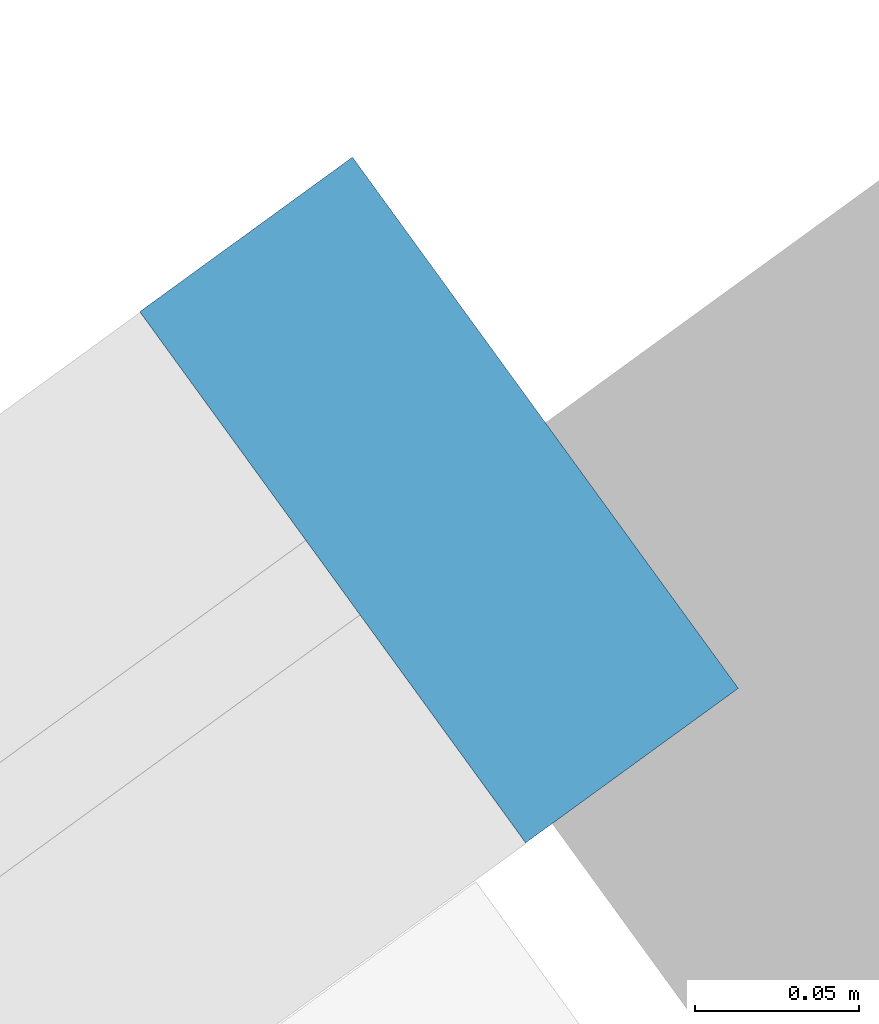
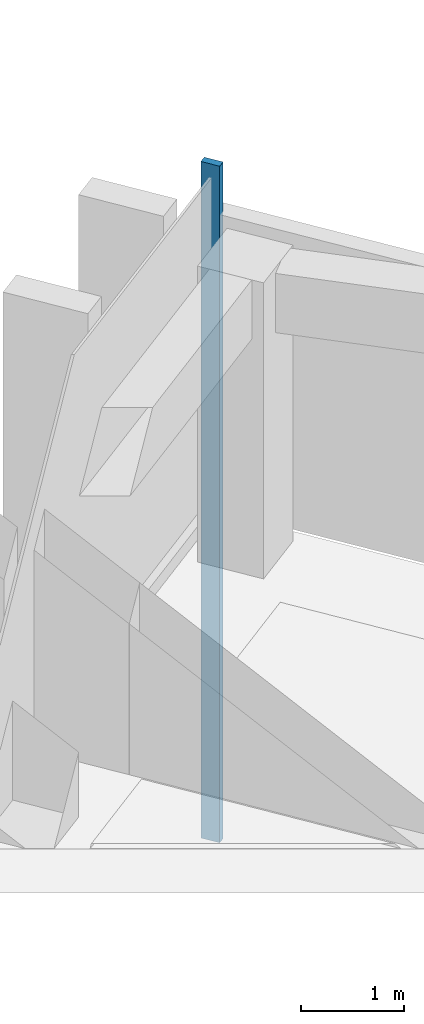
# One storey, part 5 of 13: 1 member, 1 element without a shape of its own.
"""IFC4 building model written with IfcOpenShell, lengths in metres."""

from ifc_helpers import new_model, si_unit, direction, frame, origin, origin_2d, place, context, subcontext, project, spatial, rectangle, extrude, material, material_profile, profile_set, type_object, element, aggregate, save


model = new_model("IFC4")

# Units and contexts
model_context = context("Model", 3, precision=1e-05, world=origin(), true_north=direction((0.0, 1.0)))
body_context = subcontext(model_context, "Body", "Model", "MODEL_VIEW")
ifc_project = project(units=[si_unit("LENGTHUNIT", "METRE"), si_unit("AREAUNIT", "SQUARE_METRE"), si_unit("VOLUMEUNIT", "CUBIC_METRE"), si_unit("PLANEANGLEUNIT", "RADIAN"), si_unit("MASSUNIT", "GRAM", prefix="KILO")], contexts=[model_context])

# Site, building, storey
site_placement = place(None, origin())
site = spatial("IfcSite", under=ifc_project, at=site_placement, CompositionType="ELEMENT")
building_placement = place(site_placement, origin())
building = spatial("IfcBuilding", under=site, at=building_placement, Name="Quipu Civic Tower", CompositionType="ELEMENT")
storey_placement = place(building_placement, frame((0.0, 0.0, 269.0)))
storey = spatial("IfcBuildingStorey", under=building, at=storey_placement, Name="L63", CompositionType="ELEMENT", Elevation=269.0)

# Curtain wall, member
ifc_material_1 = material(Name="Insulated glass unit", Category="glass")
curtain_wall_type = type_object("IfcCurtainWallType", Name="Office curtain wall CW1", PredefinedType="NOTDEFINED", material=ifc_material_1)
curtain_wall_placement = place(storey_placement, origin())
curtain_wall = element("IfcCurtainWall", 1, at=curtain_wall_placement, inside=storey, type_object=curtain_wall_type, Name="Office curtain wall CW1 L62 run 37", PredefinedType="NOTDEFINED")
ifc_material_2 = material(Name="Anodised aluminium", Category="aluminium")
ifc_material_profile = material_profile(ifc_material_2, rectangle(XDim=0.199951171875, YDim=0.080078125, at=origin_2d()), Name="RECT 200x80")
ifc_profile_set = profile_set([ifc_material_profile], Name="Anodised aluminium")
member_type = type_object("IfcMemberType", Name="Mullion CW1", PredefinedType="MULLION", material=ifc_profile_set)
member_placement = place(storey_placement, frame((-28.4111328125, 21.206298828125, -3.919921875), z_axis=(0.0, 0.0, 1.0), x_axis=(0.587787753918, -0.809015176832, 0.0)))
member = element("IfcMember", 2, at=member_placement, type_object=member_type, Name="CW1 mullion 1", PredefinedType="MULLION", context=body_context, shape_type="SweptSolid", body=[
    extrude(rectangle(XDim=0.199951171875, YDim=0.080078125, at=origin_2d()), origin(), (0.0, 0.0, 1.0), 8.0),
])
aggregate(curtain_wall, [member])

save(model, "model.ifc")
